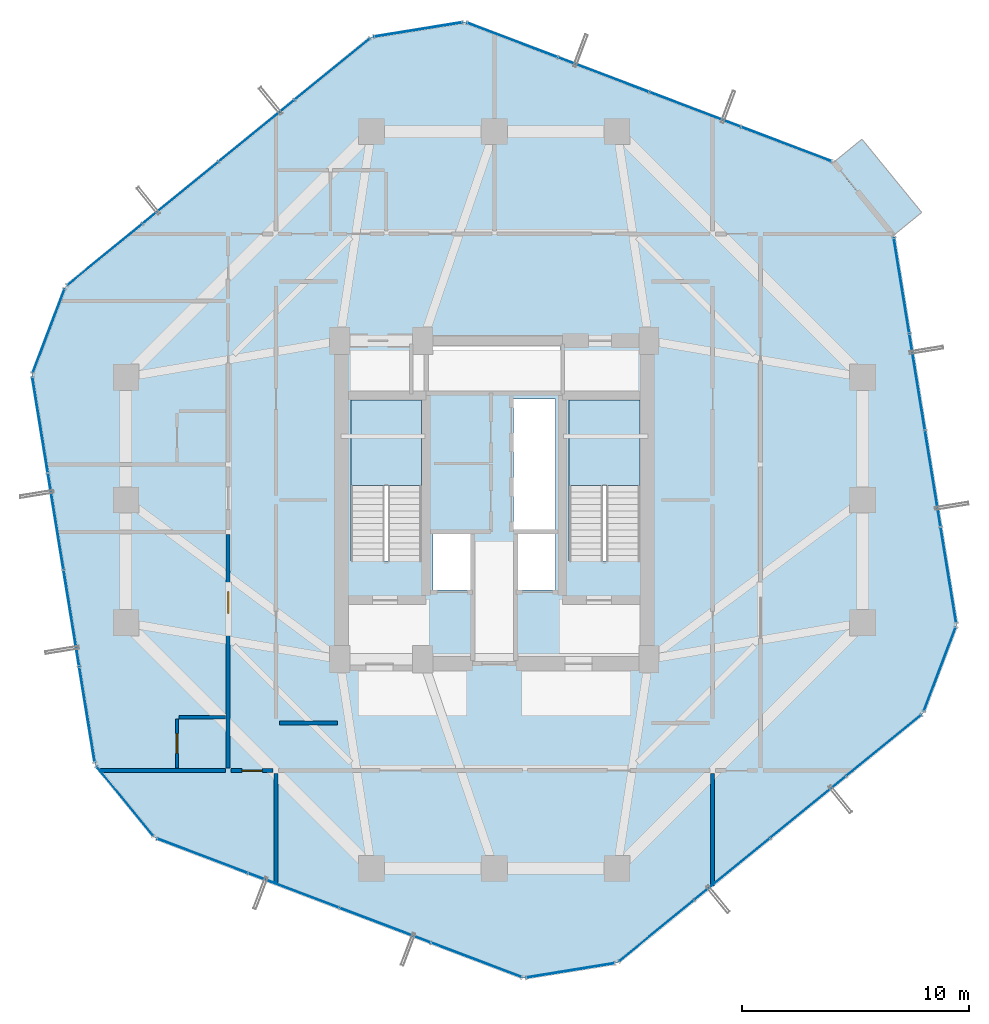
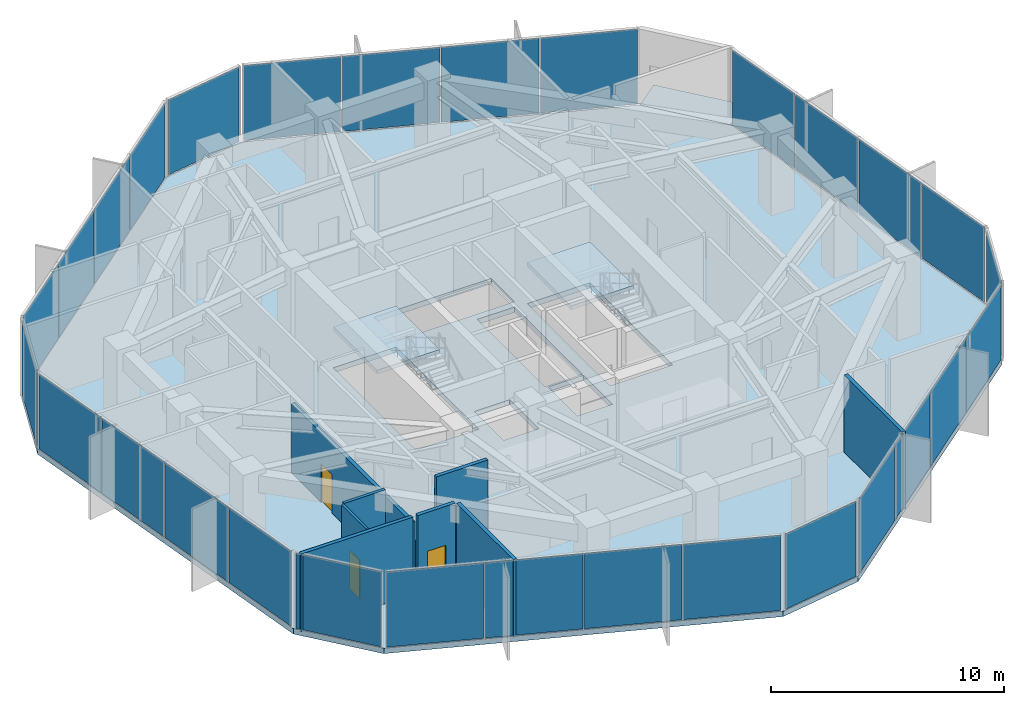
# One storey, part 21 of 26: 29 plates, 8 walls, 4 slabs, 3 doors, 3 openings, 13 elements without a shape of their own.
"""IFC4 building model written with IfcOpenShell, lengths in metres."""

from ifc_helpers import new_model, si_unit, direction, frame, frame_2d, origin, origin_2d, place, context, subcontext, project, spatial, polyline, rectangle, outline, extrude, source, transform, mapped, material, layer, layer_set, type_object, element, fill, aggregate, save


model = new_model("IFC4")

# Units and contexts
model_context = context("Model", 3, precision=1e-05, world=origin(), true_north=direction((0.0, 1.0)))
body_context = subcontext(model_context, "Body", "Model", "MODEL_VIEW")
ifc_project = project(units=[si_unit("LENGTHUNIT", "METRE"), si_unit("AREAUNIT", "SQUARE_METRE"), si_unit("VOLUMEUNIT", "CUBIC_METRE"), si_unit("PLANEANGLEUNIT", "RADIAN"), si_unit("MASSUNIT", "GRAM", prefix="KILO")], contexts=[model_context])

# Site, building, storey
site_placement = place(None, origin())
site = spatial("IfcSite", under=ifc_project, at=site_placement, CompositionType="ELEMENT")
building_placement = place(site_placement, origin())
building = spatial("IfcBuilding", under=site, at=building_placement, Name="Veraguas Prism Commons", CompositionType="ELEMENT")
storey_placement = place(building_placement, frame((0.0, 0.0, 158.75)))
storey = spatial("IfcBuildingStorey", under=building, at=storey_placement, Name="L45", CompositionType="ELEMENT", Elevation=158.75)

# Slab
ifc_material_1 = material(Name="Concrete C45/55", Category="concrete")
ifc_layer_1 = layer(ifc_material_1, 0.280029296875, Name="Community Assembly Floor Slab RC 280", Category="concrete")
ifc_layer_set_1 = layer_set([ifc_layer_1], Name="Concrete C45/55")
slab_type_1 = type_object("IfcSlabType", Name="Community Assembly Floor Slab RC 280", PredefinedType="FLOOR", material=ifc_layer_set_1)
slab_1_placement = place(storey_placement, frame((0.0, 0.0, -0.280029296875)))
element("IfcSlab", 1, at=slab_1_placement, inside=storey, type_object=slab_type_1, Name="Tower Floor Slab L45", PredefinedType="FLOOR", context=body_context, shape_type="SweptSolid", body=[
    extrude(outline(polyline([(41.54833984375, 35.632568359375), (38.923583984375, 38.850830078125), (22.7001953125, 45.013671875), (18.6005859375, 44.349609375), (5.15185546875, 33.381103515625), (3.677001953125, 29.498779296875), (6.45166015625, 12.367431640625), (9.076416015625, 9.149169921875), (25.2998046875, 2.986328125), (29.3994140625, 3.650390625), (42.84814453125, 14.618896484375), (44.322998046875, 18.501220703125), (41.54833984375, 35.632568359375)]), holes=[polyline([(20.800048828125, 21.31005859375), (20.800048828125, 28.39990234375), (17.68994140625, 28.39990234375), (17.68994140625, 21.31005859375), (20.800048828125, 21.31005859375)]), polyline([(30.39990234375, 21.31005859375), (30.39990234375, 28.39990234375), (27.2900390625, 28.39990234375), (27.2900390625, 21.31005859375), (30.39990234375, 21.31005859375)]), polyline([(24.85009765625, 22.64990234375), (26.699951171875, 22.64990234375), (26.699951171875, 28.449951171875), (24.85009765625, 28.449951171875), (24.85009765625, 22.64990234375)]), polyline([(21.10009765625, 28.800048828125), (26.89990234375, 28.800048828125), (26.89990234375, 30.800048828125), (21.10009765625, 30.800048828125), (21.10009765625, 28.800048828125)]), polyline([(21.300048828125, 20.050048828125), (23.050048828125, 20.050048828125), (23.050048828125, 22.550048828125), (21.300048828125, 22.550048828125), (21.300048828125, 20.050048828125)]), polyline([(24.949951171875, 20.050048828125), (26.699951171875, 20.050048828125), (26.699951171875, 22.550048828125), (24.949951171875, 22.550048828125), (24.949951171875, 20.050048828125)])]), origin(), (0.0, 0.0, 1.0), 0.280029296875),
])

# Stair, slab
ifc_material_2 = material(Name="Precast concrete C45/55", Category="concrete")
stair_type = type_object("IfcStairType", Name="Dogleg Core Stair 1480W 26R 06", PredefinedType="HALF_TURN_STAIR", material=ifc_material_2)
stair_1_placement = place(storey_placement, origin())
stair_1 = element("IfcStair", 2, at=stair_1_placement, inside=storey, type_object=stair_type, Name="Protected Exit Stair ST-01 L45", PredefinedType="HALF_TURN_STAIR")
ifc_layer_2 = layer(ifc_material_2, 0.199951171875, Name="Precast Stair and Ramp Landing Slab 200", Category="concrete")
ifc_layer_set_2 = layer_set([ifc_layer_2], Name="Precast concrete C45/55")
slab_type_2 = type_object("IfcSlabType", Name="Precast Stair and Ramp Landing Slab 200", PredefinedType="LANDING", material=ifc_layer_set_2)
slab_2_placement = place(storey_placement, frame((0.0, 0.0, 1.949951171875)))
slab_2 = element("IfcSlab", 3, at=slab_2_placement, type_object=slab_type_2, Name="ST-06 Landing 1", PredefinedType="LANDING", context=body_context, shape_type="SweptSolid", body=[
    extrude(outline(polyline([(20.800048828125, 24.639892578125), (20.800048828125, 28.39990234375), (17.68994140625, 28.39990234375), (17.68994140625, 24.639892578125), (20.800048828125, 24.639892578125)])), origin(), (0.0, 0.0, 1.0), 0.199951171875),
])
aggregate(stair_1, [slab_2])

stair_2_placement = place(storey_placement, origin())
stair_2 = element("IfcStair", 4, at=stair_2_placement, inside=storey, type_object=stair_type, Name="Protected Exit Stair ST-02 L45", PredefinedType="HALF_TURN_STAIR")
slab_3_placement = place(storey_placement, frame((0.0, 0.0, 1.949951171875)))
slab_3 = element("IfcSlab", 5, at=slab_3_placement, type_object=slab_type_2, Name="ST-06 Landing 1", PredefinedType="LANDING", context=body_context, shape_type="SweptSolid", body=[
    extrude(outline(polyline([(30.39990234375, 24.639892578125), (30.39990234375, 28.39990234375), (27.2900390625, 28.39990234375), (27.2900390625, 24.639892578125), (30.39990234375, 24.639892578125)])), origin(), (0.0, 0.0, 1.0), 0.199951171875),
])
aggregate(stair_2, [slab_3])

# Slab
ifc_layer_3 = layer(ifc_material_1, 0.219970703125, Name="Recessed Loggia and Terrace Slab RC 220", Category="concrete")
ifc_layer_set_3 = layer_set([ifc_layer_3], Name="Concrete C45/55")
slab_type_3 = type_object("IfcSlabType", Name="Recessed Loggia and Terrace Slab RC 220", PredefinedType="FLOOR", material=ifc_layer_set_3)
slab_4_placement = place(storey_placement, frame((0.0, 0.0, -0.219970703125)))
element("IfcSlab", 6, at=slab_4_placement, inside=storey, type_object=slab_type_3, Name="Recessed Corner Loggia L45-C1", PredefinedType="FLOOR", context=body_context, shape_type="SweptSolid", body=[
    extrude(outline(polyline([(41.532958984375, 35.619873046875), (42.788330078125, 36.643798828125), (40.163330078125, 39.8623046875), (38.907958984375, 38.83837890625), (41.532958984375, 35.619873046875)])), origin(), (0.0, 0.0, 1.0), 0.219970703125),
])

# Curtain wall, plates
ifc_material_3 = material(Name="Anodised aluminium EN AW-6063 T6", Category="aluminium")
ifc_layer_4 = layer(ifc_material_3, 0.199951171875, Name="Sky Lobby and Pool Acoustic Curtain Wall", Category="aluminium")
ifc_layer_set_4 = layer_set([ifc_layer_4], Name="Anodised aluminium EN AW-6063 T6")
curtain_wall_type = type_object("IfcCurtainWallType", Name="Sky Lobby and Pool Acoustic Curtain Wall", PredefinedType="NOTDEFINED", material=ifc_layer_set_4)
curtain_wall_1_placement = place(storey_placement, origin())
curtain_wall_1 = element("IfcCurtainWall", 7, at=curtain_wall_1_placement, inside=storey, type_object=curtain_wall_type, Name="Tower Facade Curtain Wall L45-F1", PredefinedType="NOTDEFINED")
ifc_material_4 = material(Name="Laminated low-e glass", Category="glass")
ifc_layer_5 = layer(ifc_material_4, 0.031982421875, Name="Concourse Acoustic Triple Glazed Panel 32", Category="glass")
ifc_layer_set_5 = layer_set([ifc_layer_5], Name="Laminated low-e glass")
plate_type = type_object("IfcPlateType", Name="Concourse Acoustic Triple Glazed Panel 32", PredefinedType="CURTAIN_PANEL", material=ifc_layer_set_5)
shared_shape_1 = source(origin(), body_context, "Body", "SweptSolid", [
    extrude(rectangle(XDim=4.211181640625, YDim=0.031982421875, at=origin_2d()), origin(), (0.0, 0.0, 1.0), 3.929931640625),
])
plate_1_placement = place(storey_placement, frame((36.83837890625, 39.64306640625, 0.06005859375), z_axis=(0.0, 0.0, 1.0), x_axis=(-0.934824436833, 0.355110225563, 0.0)))
plate_1 = element("IfcPlate", 8, at=plate_1_placement, type_object=plate_type, Name="CW-SKY Panel 1.1", PredefinedType="CURTAIN_PANEL", context=body_context, shape_type="MappedRepresentation", body=[
    mapped(shared_shape_1, transform((0.0, 0.0, 0.0), scale=1.0)),
])
plate_2_placement = place(storey_placement, frame((24.785400390625, 44.221435546875, 0.06005859375), z_axis=(0.0, 0.0, 1.0), x_axis=(-0.934824436833, 0.355110225563, 0.0)))
plate_2 = element("IfcPlate", 9, at=plate_2_placement, type_object=plate_type, Name="CW-SKY Panel 4.1", PredefinedType="CURTAIN_PANEL", context=body_context, shape_type="MappedRepresentation", body=[
    mapped(shared_shape_1, transform((0.0, 0.0, 0.0), scale=1.0)),
])

curtain_wall_2_placement = place(storey_placement, origin())
curtain_wall_2 = element("IfcCurtainWall", 10, at=curtain_wall_2_placement, inside=storey, type_object=curtain_wall_type, Name="Tower Facade Curtain Wall L45-F2", PredefinedType="NOTDEFINED")
plate_3_placement = place(storey_placement, frame((16.871826171875, 42.93994140625, 0.06005859375), z_axis=(0.0, 0.0, 1.0), x_axis=(-0.774943385604, -0.632030655197, 0.0)))
plate_3 = element("IfcPlate", 11, at=plate_3_placement, type_object=plate_type, Name="CW-SKY Panel 1.1", PredefinedType="CURTAIN_PANEL", context=body_context, shape_type="MappedRepresentation", body=[
    mapped(shared_shape_1, transform((0.0, 0.0, 0.0), scale=1.0)),
])
plate_4_placement = place(storey_placement, frame((6.88037109375, 34.790771484375, 0.06005859375), z_axis=(0.0, 0.0, 1.0), x_axis=(-0.774943385604, -0.632030655197, 0.0)))
plate_4 = element("IfcPlate", 12, at=plate_4_placement, type_object=plate_type, Name="CW-SKY Panel 4.1", PredefinedType="CURTAIN_PANEL", context=body_context, shape_type="MappedRepresentation", body=[
    mapped(shared_shape_1, transform((0.0, 0.0, 0.0), scale=1.0)),
])

curtain_wall_3_placement = place(storey_placement, origin())
curtain_wall_3 = element("IfcCurtainWall", 13, at=curtain_wall_3_placement, inside=storey, type_object=curtain_wall_type, Name="Tower Facade Curtain Wall L45-F3", PredefinedType="NOTDEFINED")
plate_5_placement = place(storey_placement, frame((4.03369140625, 27.296875, 0.06005859375), z_axis=(0.0, 0.0, 1.0), x_axis=(0.159877741935, -0.987136823158, 0.0)))
plate_5 = element("IfcPlate", 14, at=plate_5_placement, type_object=plate_type, Name="CW-SKY Panel 1.1", PredefinedType="CURTAIN_PANEL", context=body_context, shape_type="MappedRepresentation", body=[
    mapped(shared_shape_1, transform((0.0, 0.0, 0.0), scale=1.0)),
])
plate_6_placement = place(storey_placement, frame((6.094970703125, 14.5693359375, 0.06005859375), z_axis=(0.0, 0.0, 1.0), x_axis=(0.159877741935, -0.987136823158, 0.0)))
plate_6 = element("IfcPlate", 15, at=plate_6_placement, type_object=plate_type, Name="CW-SKY Panel 4.1", PredefinedType="CURTAIN_PANEL", context=body_context, shape_type="MappedRepresentation", body=[
    mapped(shared_shape_1, transform((0.0, 0.0, 0.0), scale=1.0)),
])

curtain_wall_4_placement = place(storey_placement, origin())
curtain_wall_4 = element("IfcCurtainWall", 16, at=curtain_wall_4_placement, inside=storey, type_object=curtain_wall_type, Name="Tower Facade Curtain Wall L45-F4", PredefinedType="NOTDEFINED")
plate_7_placement = place(storey_placement, frame((11.16162109375, 8.35693359375, 0.06005859375), z_axis=(0.0, 0.0, 1.0), x_axis=(0.934824436833, -0.355110225563, 0.0)))
plate_7 = element("IfcPlate", 17, at=plate_7_placement, type_object=plate_type, Name="CW-SKY Panel 1.1", PredefinedType="CURTAIN_PANEL", context=body_context, shape_type="MappedRepresentation", body=[
    mapped(shared_shape_1, transform((0.0, 0.0, 0.0), scale=1.0)),
])
plate_8_placement = place(storey_placement, frame((23.214599609375, 3.778564453125, 0.06005859375), z_axis=(0.0, 0.0, 1.0), x_axis=(0.934824436833, -0.355110225563, 0.0)))
plate_8 = element("IfcPlate", 18, at=plate_8_placement, type_object=plate_type, Name="CW-SKY Panel 4.1", PredefinedType="CURTAIN_PANEL", context=body_context, shape_type="MappedRepresentation", body=[
    mapped(shared_shape_1, transform((0.0, 0.0, 0.0), scale=1.0)),
])

curtain_wall_5_placement = place(storey_placement, origin())
curtain_wall_5 = element("IfcCurtainWall", 19, at=curtain_wall_5_placement, inside=storey, type_object=curtain_wall_type, Name="Tower Facade Curtain Wall L45-F5", PredefinedType="NOTDEFINED")
plate_9_placement = place(storey_placement, frame((31.128173828125, 5.06005859375, 0.06005859375), z_axis=(0.0, 0.0, 1.0), x_axis=(0.774943385604, 0.632030655197, 0.0)))
plate_9 = element("IfcPlate", 20, at=plate_9_placement, type_object=plate_type, Name="CW-SKY Panel 1.1", PredefinedType="CURTAIN_PANEL", context=body_context, shape_type="MappedRepresentation", body=[
    mapped(shared_shape_1, transform((0.0, 0.0, 0.0), scale=1.0)),
])
plate_10_placement = place(storey_placement, frame((41.11962890625, 13.209228515625, 0.06005859375), z_axis=(0.0, 0.0, 1.0), x_axis=(0.774943385604, 0.632030655197, 0.0)))
plate_10 = element("IfcPlate", 21, at=plate_10_placement, type_object=plate_type, Name="CW-SKY Panel 4.1", PredefinedType="CURTAIN_PANEL", context=body_context, shape_type="MappedRepresentation", body=[
    mapped(shared_shape_1, transform((0.0, 0.0, 0.0), scale=1.0)),
])

curtain_wall_6_placement = place(storey_placement, origin())
curtain_wall_6 = element("IfcCurtainWall", 22, at=curtain_wall_6_placement, inside=storey, type_object=curtain_wall_type, Name="Tower Facade Curtain Wall L45-F6", PredefinedType="NOTDEFINED")
plate_11_placement = place(storey_placement, frame((43.96630859375, 20.703125, 0.06005859375), z_axis=(0.0, 0.0, 1.0), x_axis=(-0.159877741935, 0.987136823158, 0.0)))
plate_11 = element("IfcPlate", 23, at=plate_11_placement, type_object=plate_type, Name="CW-SKY Panel 1.1", PredefinedType="CURTAIN_PANEL", context=body_context, shape_type="MappedRepresentation", body=[
    mapped(shared_shape_1, transform((0.0, 0.0, 0.0), scale=1.0)),
])
plate_12_placement = place(storey_placement, frame((41.905029296875, 33.4306640625, 0.06005859375), z_axis=(0.0, 0.0, 1.0), x_axis=(-0.159877741935, 0.987136823158, 0.0)))
plate_12 = element("IfcPlate", 24, at=plate_12_placement, type_object=plate_type, Name="CW-SKY Panel 4.1", PredefinedType="CURTAIN_PANEL", context=body_context, shape_type="MappedRepresentation", body=[
    mapped(shared_shape_1, transform((0.0, 0.0, 0.0), scale=1.0)),
])

# Plate
shared_shape_2 = source(origin(), body_context, "Body", "SweptSolid", [
    extrude(rectangle(XDim=4.24365234375, YDim=0.031982421875, at=origin_2d()), origin(), (0.0, 0.0, 1.0), 3.929931640625),
])
plate_13_placement = place(storey_placement, frame((32.82568359375, 41.167236328125, 0.06005859375), z_axis=(0.0, 0.0, 1.0), x_axis=(-0.934824436833, 0.355110225563, 0.0)))
plate_13 = element("IfcPlate", 25, at=plate_13_placement, type_object=plate_type, Name="CW-SKY Panel 2.1", PredefinedType="CURTAIN_PANEL", context=body_context, shape_type="MappedRepresentation", body=[
    mapped(shared_shape_2, transform((0.0, 0.0, 0.0), scale=1.0)),
])

plate_14_placement = place(storey_placement, frame((28.7978515625, 42.697265625, 0.06005859375), z_axis=(0.0, 0.0, 1.0), x_axis=(-0.934824436833, 0.355110225563, 0.0)))
plate_14 = element("IfcPlate", 26, at=plate_14_placement, type_object=plate_type, Name="CW-SKY Panel 3.1", PredefinedType="CURTAIN_PANEL", context=body_context, shape_type="MappedRepresentation", body=[
    mapped(shared_shape_2, transform((0.0, 0.0, 0.0), scale=1.0)),
])

aggregate(curtain_wall_1, [plate_1, plate_13, plate_14, plate_2])

plate_15_placement = place(storey_placement, frame((13.545654296875, 40.22705078125, 0.06005859375), z_axis=(0.0, 0.0, 1.0), x_axis=(-0.774943385604, -0.632030655197, 0.0)))
plate_15 = element("IfcPlate", 27, at=plate_15_placement, type_object=plate_type, Name="CW-SKY Panel 2.1", PredefinedType="CURTAIN_PANEL", context=body_context, shape_type="MappedRepresentation", body=[
    mapped(shared_shape_2, transform((0.0, 0.0, 0.0), scale=1.0)),
])

plate_16_placement = place(storey_placement, frame((10.206787109375, 37.503662109375, 0.06005859375), z_axis=(0.0, 0.0, 1.0), x_axis=(-0.774943385604, -0.632030655197, 0.0)))
plate_16 = element("IfcPlate", 28, at=plate_16_placement, type_object=plate_type, Name="CW-SKY Panel 3.1", PredefinedType="CURTAIN_PANEL", context=body_context, shape_type="MappedRepresentation", body=[
    mapped(shared_shape_2, transform((0.0, 0.0, 0.0), scale=1.0)),
])

aggregate(curtain_wall_2, [plate_3, plate_15, plate_16, plate_4])

plate_17_placement = place(storey_placement, frame((4.719970703125, 23.059814453125, 0.06005859375), z_axis=(0.0, 0.0, 1.0), x_axis=(0.159877741935, -0.987136823158, 0.0)))
plate_17 = element("IfcPlate", 29, at=plate_17_placement, type_object=plate_type, Name="CW-SKY Panel 2.1", PredefinedType="CURTAIN_PANEL", context=body_context, shape_type="MappedRepresentation", body=[
    mapped(shared_shape_2, transform((0.0, 0.0, 0.0), scale=1.0)),
])

plate_18_placement = place(storey_placement, frame((5.40869140625, 18.806396484375, 0.06005859375), z_axis=(0.0, 0.0, 1.0), x_axis=(0.159877741935, -0.987136823158, 0.0)))
plate_18 = element("IfcPlate", 30, at=plate_18_placement, type_object=plate_type, Name="CW-SKY Panel 3.1", PredefinedType="CURTAIN_PANEL", context=body_context, shape_type="MappedRepresentation", body=[
    mapped(shared_shape_2, transform((0.0, 0.0, 0.0), scale=1.0)),
])

aggregate(curtain_wall_3, [plate_5, plate_17, plate_18, plate_6])

plate_19_placement = place(storey_placement, frame((15.17431640625, 6.832763671875, 0.06005859375), z_axis=(0.0, 0.0, 1.0), x_axis=(0.934824436833, -0.355110225563, 0.0)))
plate_19 = element("IfcPlate", 31, at=plate_19_placement, type_object=plate_type, Name="CW-SKY Panel 2.1", PredefinedType="CURTAIN_PANEL", context=body_context, shape_type="MappedRepresentation", body=[
    mapped(shared_shape_2, transform((0.0, 0.0, 0.0), scale=1.0)),
])

plate_20_placement = place(storey_placement, frame((19.2021484375, 5.302734375, 0.06005859375), z_axis=(0.0, 0.0, 1.0), x_axis=(0.934824436833, -0.355110225563, 0.0)))
plate_20 = element("IfcPlate", 32, at=plate_20_placement, type_object=plate_type, Name="CW-SKY Panel 3.1", PredefinedType="CURTAIN_PANEL", context=body_context, shape_type="MappedRepresentation", body=[
    mapped(shared_shape_2, transform((0.0, 0.0, 0.0), scale=1.0)),
])

aggregate(curtain_wall_4, [plate_7, plate_19, plate_20, plate_8])

plate_21_placement = place(storey_placement, frame((34.454345703125, 7.77294921875, 0.06005859375), z_axis=(0.0, 0.0, 1.0), x_axis=(0.774943385604, 0.632030655197, 0.0)))
plate_21 = element("IfcPlate", 33, at=plate_21_placement, type_object=plate_type, Name="CW-SKY Panel 2.1", PredefinedType="CURTAIN_PANEL", context=body_context, shape_type="MappedRepresentation", body=[
    mapped(shared_shape_2, transform((0.0, 0.0, 0.0), scale=1.0)),
])

plate_22_placement = place(storey_placement, frame((37.793212890625, 10.496337890625, 0.06005859375), z_axis=(0.0, 0.0, 1.0), x_axis=(0.774943385604, 0.632030655197, 0.0)))
plate_22 = element("IfcPlate", 34, at=plate_22_placement, type_object=plate_type, Name="CW-SKY Panel 3.1", PredefinedType="CURTAIN_PANEL", context=body_context, shape_type="MappedRepresentation", body=[
    mapped(shared_shape_2, transform((0.0, 0.0, 0.0), scale=1.0)),
])

aggregate(curtain_wall_5, [plate_9, plate_21, plate_22, plate_10])

plate_23_placement = place(storey_placement, frame((43.280029296875, 24.940185546875, 0.06005859375), z_axis=(0.0, 0.0, 1.0), x_axis=(-0.159877741935, 0.987136823158, 0.0)))
plate_23 = element("IfcPlate", 35, at=plate_23_placement, type_object=plate_type, Name="CW-SKY Panel 2.1", PredefinedType="CURTAIN_PANEL", context=body_context, shape_type="MappedRepresentation", body=[
    mapped(shared_shape_2, transform((0.0, 0.0, 0.0), scale=1.0)),
])

plate_24_placement = place(storey_placement, frame((42.59130859375, 29.193603515625, 0.06005859375), z_axis=(0.0, 0.0, 1.0), x_axis=(-0.159877741935, 0.987136823158, 0.0)))
plate_24 = element("IfcPlate", 36, at=plate_24_placement, type_object=plate_type, Name="CW-SKY Panel 3.1", PredefinedType="CURTAIN_PANEL", context=body_context, shape_type="MappedRepresentation", body=[
    mapped(shared_shape_2, transform((0.0, 0.0, 0.0), scale=1.0)),
])

aggregate(curtain_wall_6, [plate_11, plate_23, plate_24, plate_12])

# Curtain wall, plate
curtain_wall_7_placement = place(storey_placement, origin())
curtain_wall_7 = element("IfcCurtainWall", 37, at=curtain_wall_7_placement, inside=storey, type_object=curtain_wall_type, Name="Chamfer Curtain Wall L45-C2", PredefinedType="NOTDEFINED")
shared_shape_3 = source(origin(), body_context, "Body", "SweptSolid", [
    extrude(rectangle(XDim=3.903076171875, YDim=0.031982421875, at=origin_2d()), origin(), (0.0, 0.0, 1.0), 3.929931640625),
])
plate_25_placement = place(storey_placement, frame((20.650390625, 44.681640625, 0.06005859375), z_axis=(0.0, 0.0, 1.0), x_axis=(-0.98713738123, -0.159874296177, 0.0)))
plate_25 = element("IfcPlate", 38, at=plate_25_placement, type_object=plate_type, Name="CW-SKY Panel 1.1", PredefinedType="CURTAIN_PANEL", context=body_context, shape_type="MappedRepresentation", body=[
    mapped(shared_shape_3, transform((0.0, 0.0, 0.0), scale=1.0)),
])
aggregate(curtain_wall_7, [plate_25])

curtain_wall_8_placement = place(storey_placement, origin())
curtain_wall_8 = element("IfcCurtainWall", 39, at=curtain_wall_8_placement, inside=storey, type_object=curtain_wall_type, Name="Chamfer Curtain Wall L45-C3", PredefinedType="NOTDEFINED")
plate_26_placement = place(storey_placement, frame((4.414306640625, 31.43994140625, 0.06005859375), z_axis=(0.0, 0.0, 1.0), x_axis=(-0.355115120288, -0.934822577468, 0.0)))
plate_26 = element("IfcPlate", 40, at=plate_26_placement, type_object=plate_type, Name="CW-SKY Panel 1.1", PredefinedType="CURTAIN_PANEL", context=body_context, shape_type="MappedRepresentation", body=[
    mapped(shared_shape_3, transform((0.0, 0.0, 0.0), scale=1.0)),
])
aggregate(curtain_wall_8, [plate_26])

curtain_wall_9_placement = place(storey_placement, origin())
curtain_wall_9 = element("IfcCurtainWall", 41, at=curtain_wall_9_placement, inside=storey, type_object=curtain_wall_type, Name="Chamfer Curtain Wall L45-C4", PredefinedType="NOTDEFINED")
plate_27_placement = place(storey_placement, frame((7.76416015625, 10.75830078125, 0.06005859375), z_axis=(0.0, 0.0, 1.0), x_axis=(0.632041475386, -0.774934560716, 0.0)))
plate_27 = element("IfcPlate", 42, at=plate_27_placement, type_object=plate_type, Name="CW-SKY Panel 1.1", PredefinedType="CURTAIN_PANEL", context=body_context, shape_type="MappedRepresentation", body=[
    mapped(shared_shape_3, transform((0.0, 0.0, 0.0), scale=1.0)),
])
aggregate(curtain_wall_9, [plate_27])

curtain_wall_10_placement = place(storey_placement, origin())
curtain_wall_10 = element("IfcCurtainWall", 43, at=curtain_wall_10_placement, inside=storey, type_object=curtain_wall_type, Name="Chamfer Curtain Wall L45-C5", PredefinedType="NOTDEFINED")
plate_28_placement = place(storey_placement, frame((27.349609375, 3.318359375, 0.06005859375), z_axis=(0.0, 0.0, 1.0), x_axis=(0.98713738123, 0.159874296177, 0.0)))
plate_28 = element("IfcPlate", 44, at=plate_28_placement, type_object=plate_type, Name="CW-SKY Panel 1.1", PredefinedType="CURTAIN_PANEL", context=body_context, shape_type="MappedRepresentation", body=[
    mapped(shared_shape_3, transform((0.0, 0.0, 0.0), scale=1.0)),
])
aggregate(curtain_wall_10, [plate_28])

curtain_wall_11_placement = place(storey_placement, origin())
curtain_wall_11 = element("IfcCurtainWall", 45, at=curtain_wall_11_placement, inside=storey, type_object=curtain_wall_type, Name="Chamfer Curtain Wall L45-C6", PredefinedType="NOTDEFINED")
plate_29_placement = place(storey_placement, frame((43.585693359375, 16.56005859375, 0.06005859375), z_axis=(0.0, 0.0, 1.0), x_axis=(0.355115120288, 0.934822577468, 0.0)))
plate_29 = element("IfcPlate", 46, at=plate_29_placement, type_object=plate_type, Name="CW-SKY Panel 1.1", PredefinedType="CURTAIN_PANEL", context=body_context, shape_type="MappedRepresentation", body=[
    mapped(shared_shape_3, transform((0.0, 0.0, 0.0), scale=1.0)),
])
aggregate(curtain_wall_11, [plate_29])

# Walls
ifc_material_5 = material(Name="Autoclaved aerated masonry block 10 MPa", Category="masonry")
ifc_layer_6 = layer(ifc_material_5, 0.179931640625, Name="Corridor and Inter-Tenancy Partition 180", Category="masonry")
ifc_layer_set_6 = layer_set([ifc_layer_6], Name="Autoclaved aerated masonry block 10 MPa")
wall_type_1 = type_object("IfcWallType", Name="Corridor and Inter-Tenancy Partition 180", PredefinedType="PARTITIONING", material=ifc_layer_set_6)
wall_1_placement = place(storey_placement, frame((14.550048828125, 14.199951171875, 0.0), z_axis=(0.0, 0.0, 1.0), x_axis=(1.0, 0.0, 0.0)))
element("IfcWall", 47, at=wall_1_placement, inside=storey, type_object=wall_type_1, Name="WL-L45-IRWS", PredefinedType="PARTITIONING", context=body_context, shape_type="SweptSolid", body=[
    extrude(rectangle(XDim=2.550048828125, YDim=0.179931640625, at=frame_2d((1.27490234375, 0.0))), origin(), (0.0, 0.0, 1.0), 4.050048828125),
])
wall_2_placement = place(storey_placement, frame((14.39990234375, 11.97998046875, 0.0), z_axis=(0.0, 0.0, 1.0), x_axis=(0.0, -1.0, 0.0)))
element("IfcWall", 48, at=wall_2_placement, inside=storey, type_object=wall_type_1, Name="WL-L45-PT001", PredefinedType="PARTITIONING", context=body_context, shape_type="SweptSolid", body=[
    extrude(rectangle(XDim=4.88525390625, YDim=0.179931640625, at=frame_2d((2.442626953125, 0.0))), origin(), (0.0, 0.0, 1.0), 4.050048828125),
])
wall_3_placement = place(storey_placement, frame((33.60009765625, 11.97998046875, 0.0), z_axis=(0.0, 0.0, 1.0), x_axis=(0.0, -1.0, 0.0)))
element("IfcWall", 49, at=wall_3_placement, inside=storey, type_object=wall_type_1, Name="WL-L45-PT002", PredefinedType="PARTITIONING", context=body_context, shape_type="SweptSolid", body=[
    extrude(rectangle(XDim=4.9423828125, YDim=0.179931640625, at=frame_2d((2.47119140625, 0.0))), origin(), (0.0, 0.0, 1.0), 4.050048828125),
])
wall_4_placement = place(storey_placement, frame((12.179931640625, 12.10009765625, 0.0), z_axis=(0.0, 0.0, 1.0), x_axis=(-1.0, 0.0, 0.0)))
element("IfcWall", 50, at=wall_4_placement, inside=storey, type_object=wall_type_1, Name="WL-L45-PT016", PredefinedType="PARTITIONING", context=body_context, shape_type="SweptSolid", body=[
    extrude(rectangle(XDim=5.548828125, YDim=0.179931640625, at=frame_2d((2.7744140625, 0.0))), origin(), (0.0, 0.0, 1.0), 4.050048828125),
])

# Wall, opening, door
wall_5_placement = place(storey_placement, frame((12.300048828125, 12.2099609375, 0.0), z_axis=(0.0, 0.0, 1.0), x_axis=(0.0, 1.0, 0.0)))
wall_5 = element("IfcWall", 51, at=wall_5_placement, inside=storey, type_object=wall_type_1, Name="WL-L45-PT020", PredefinedType="PARTITIONING", context=body_context, shape_type="SweptSolid", body=[
    extrude(rectangle(XDim=10.281982421875, YDim=0.179931640625, at=frame_2d((5.14111328125, 0.0))), origin(), (0.0, 0.0, 1.0), 3.6298828125),
])
opening_1_placement = place(wall_5_placement, frame((6.809814453125, 0.0, 0.0)))
opening_1 = element("IfcOpeningElement", 52, at=opening_1_placement, cuts=wall_5, Name="Opening DR-01", PredefinedType="OPENING", context=body_context, shape_type="SweptSolid", body=[
    extrude(rectangle(XDim=0.949951171875, YDim=2.02001953125, at=frame_2d((0.47509765625, 1.010009765625))), frame((0.0, 0.099853515625, 0.0), z_axis=(0.0, -1.0, 0.0), x_axis=(1.0, 0.0, 0.0)), (0.0, 0.0, 1.0), 0.199951171875),
])
door_type_1 = type_object("IfcDoorType", Name="Apartment Entrance Fire Door 950x2020", OperationType="NOTDEFINED", PredefinedType="DOOR", material=ifc_material_3)
shared_shape_4 = source(origin(), body_context, "Body", "SweptSolid", [
    extrude(rectangle(XDim=0.949951171875, YDim=2.02001953125, at=frame_2d((0.47509765625, 1.010009765625))), frame((0.0, 0.02490234375, 0.0), z_axis=(0.0, -1.0, 0.0), x_axis=(1.0, 0.0, 0.0)), (0.0, 0.0, 1.0), 0.050048828125),
])
door_1_placement = place(opening_1_placement, origin())
door_1 = element("IfcDoor", 53, at=door_1_placement, inside=storey, type_object=door_type_1, Name="Studio 45A Entrance Door", OperationType="SINGLE_SWING_LEFT", OverallHeight=2.02001953125, OverallWidth=0.949951171875, PredefinedType="DOOR", context=body_context, shape_type="MappedRepresentation", body=[
    mapped(shared_shape_4, transform((0.0, 0.0, 0.0), scale=1.0)),
])
fill(opening_1, door_1)

wall_6_placement = place(storey_placement, frame((12.419921875, 12.10009765625, 0.0), z_axis=(0.0, 0.0, 1.0), x_axis=(1.0, 0.0, 0.0)))
wall_6 = element("IfcWall", 54, at=wall_6_placement, inside=storey, type_object=wall_type_1, Name="WL-L45-PT033", PredefinedType="PARTITIONING", context=body_context, shape_type="SweptSolid", body=[
    extrude(rectangle(XDim=1.860107421875, YDim=0.179931640625, at=frame_2d((0.93017578125, 0.0))), origin(), (0.0, 0.0, 1.0), 4.050048828125),
])
opening_2_placement = place(wall_6_placement, frame((0.47998046875, 0.0, 0.0)))
opening_2 = element("IfcOpeningElement", 55, at=opening_2_placement, cuts=wall_6, Name="Opening DR-14", PredefinedType="OPENING", context=body_context, shape_type="SweptSolid", body=[
    extrude(rectangle(XDim=0.89990234375, YDim=2.010009765625, at=frame_2d((0.449951171875, 1.0048828125))), frame((0.0, 0.099853515625, 0.0), z_axis=(0.0, -1.0, 0.0), x_axis=(1.0, 0.0, 0.0)), (0.0, 0.0, 1.0), 0.199951171875),
])
ifc_material_6 = material(Name="Steel fire-rated door assembly", Category="steel")
door_type_2 = type_object("IfcDoorType", Name="Core Service Room Fire Door 900x2010", OperationType="NOTDEFINED", PredefinedType="DOOR", material=ifc_material_6)
shared_shape_5 = source(origin(), body_context, "Body", "SweptSolid", [
    extrude(rectangle(XDim=0.89990234375, YDim=2.010009765625, at=frame_2d((0.449951171875, 1.0048828125))), frame((0.0, 0.02490234375, 0.0), z_axis=(0.0, -1.0, 0.0), x_axis=(1.0, 0.0, 0.0)), (0.0, 0.0, 1.0), 0.050048828125),
])
door_2_placement = place(opening_2_placement, origin())
door_2 = element("IfcDoor", 56, at=door_2_placement, inside=storey, type_object=door_type_2, Name="Residents Corner Study Room SW Door", OperationType="SINGLE_SWING_RIGHT", OverallHeight=2.010009765625, OverallWidth=0.89990234375, PredefinedType="DOOR", context=body_context, shape_type="MappedRepresentation", body=[
    mapped(shared_shape_5, transform((0.0, 0.0, 0.0), scale=1.0)),
])
fill(opening_2, door_2)

ifc_material_7 = material(Name="Lightweight acoustic gypsum board")
ifc_layer_7 = layer(ifc_material_7, 0.125, Name="Internal Apartment Room Partition 125")
ifc_layer_set_7 = layer_set([ifc_layer_7], Name="Lightweight acoustic gypsum board")
wall_type_2 = type_object("IfcWallType", Name="Internal Apartment Room Partition 125", PredefinedType="PARTITIONING", material=ifc_layer_set_7)
wall_7_placement = place(storey_placement, frame((10.050048828125, 12.219970703125, 0.0), z_axis=(0.0, 0.0, 1.0), x_axis=(0.0, 1.0, 0.0)))
wall_7 = element("IfcWall", 57, at=wall_7_placement, inside=storey, type_object=wall_type_2, Name="WL-L45-PT022", PredefinedType="PARTITIONING", context=body_context, shape_type="SweptSolid", body=[
    extrude(rectangle(XDim=2.150146484375, YDim=0.125, at=frame_2d((1.0751953125, 0.0))), origin(), (0.0, 0.0, 1.0), 4.050048828125),
])
opening_3_placement = place(wall_7_placement, frame((0.64501953125, 0.0, 0.0)))
opening_3 = element("IfcOpeningElement", 58, at=opening_3_placement, cuts=wall_7, Name="Opening DR-03", PredefinedType="OPENING", context=body_context, shape_type="SweptSolid", body=[
    extrude(rectangle(XDim=0.860107421875, YDim=2.010009765625, at=frame_2d((0.43017578125, 1.0048828125))), frame((0.0, 0.072509765625, 0.0), z_axis=(0.0, -1.0, 0.0), x_axis=(1.0, 0.0, 0.0)), (0.0, 0.0, 1.0), 0.14501953125),
])
ifc_material_8 = material(Name="Timber moisture-resistant leaf", Category="wood")
door_type_3 = type_object("IfcDoorType", Name="Internal Bathroom Door 860x2010", OperationType="NOTDEFINED", PredefinedType="DOOR", material=ifc_material_8)
shared_shape_6 = source(origin(), body_context, "Body", "SweptSolid", [
    extrude(rectangle(XDim=0.860107421875, YDim=2.010009765625, at=frame_2d((0.43017578125, 1.0048828125))), frame((0.0, 0.02490234375, 0.0), z_axis=(0.0, -1.0, 0.0), x_axis=(1.0, 0.0, 0.0)), (0.0, 0.0, 1.0), 0.050048828125),
])
door_3_placement = place(opening_3_placement, origin())
door_3 = element("IfcDoor", 59, at=door_3_placement, inside=storey, type_object=door_type_3, Name="Studio 45A Bathroom Door", OperationType="SINGLE_SWING_RIGHT", OverallHeight=2.010009765625, OverallWidth=0.860107421875, PredefinedType="DOOR", context=body_context, shape_type="MappedRepresentation", body=[
    mapped(shared_shape_6, transform((0.0, 0.0, 0.0), scale=1.0)),
])
fill(opening_3, door_3)

# Wall
ifc_layer_8 = layer(ifc_material_7, 0.14990234375, Name="Wet Room and Clinic Acoustic Partition 150")
ifc_layer_set_8 = layer_set([ifc_layer_8], Name="Lightweight acoustic gypsum board")
wall_type_3 = type_object("IfcWallType", Name="Wet Room and Clinic Acoustic Partition 150", PredefinedType="PARTITIONING", material=ifc_layer_set_8)
wall_8_placement = place(storey_placement, frame((12.179931640625, 14.449951171875, 0.0), z_axis=(0.0, 0.0, 1.0), x_axis=(-1.0, 0.0, 0.0)))
element("IfcWall", 60, at=wall_8_placement, inside=storey, type_object=wall_type_3, Name="WL-L45-PT021", PredefinedType="PARTITIONING", context=body_context, shape_type="SweptSolid", body=[
    extrude(rectangle(XDim=2.050048828125, YDim=0.14990234375, at=frame_2d((1.02490234375, 0.0))), origin(), (0.0, 0.0, 1.0), 4.050048828125),
])

save(model, "model.ifc")
